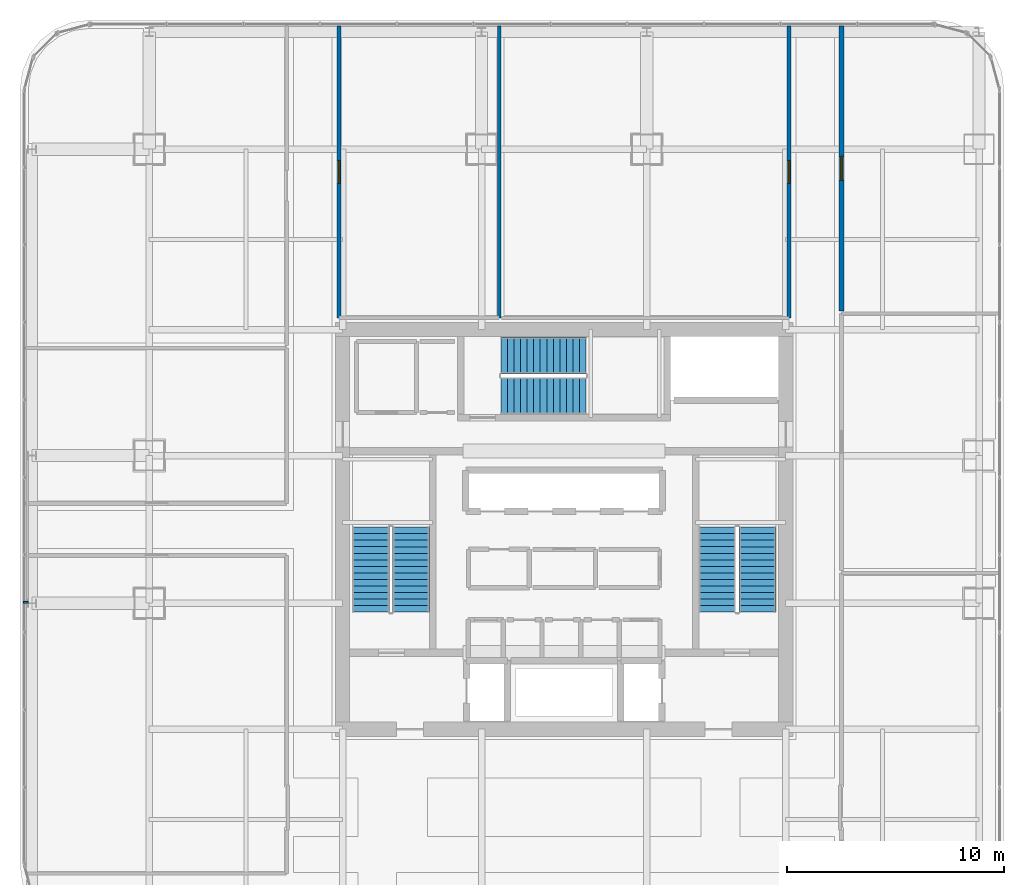
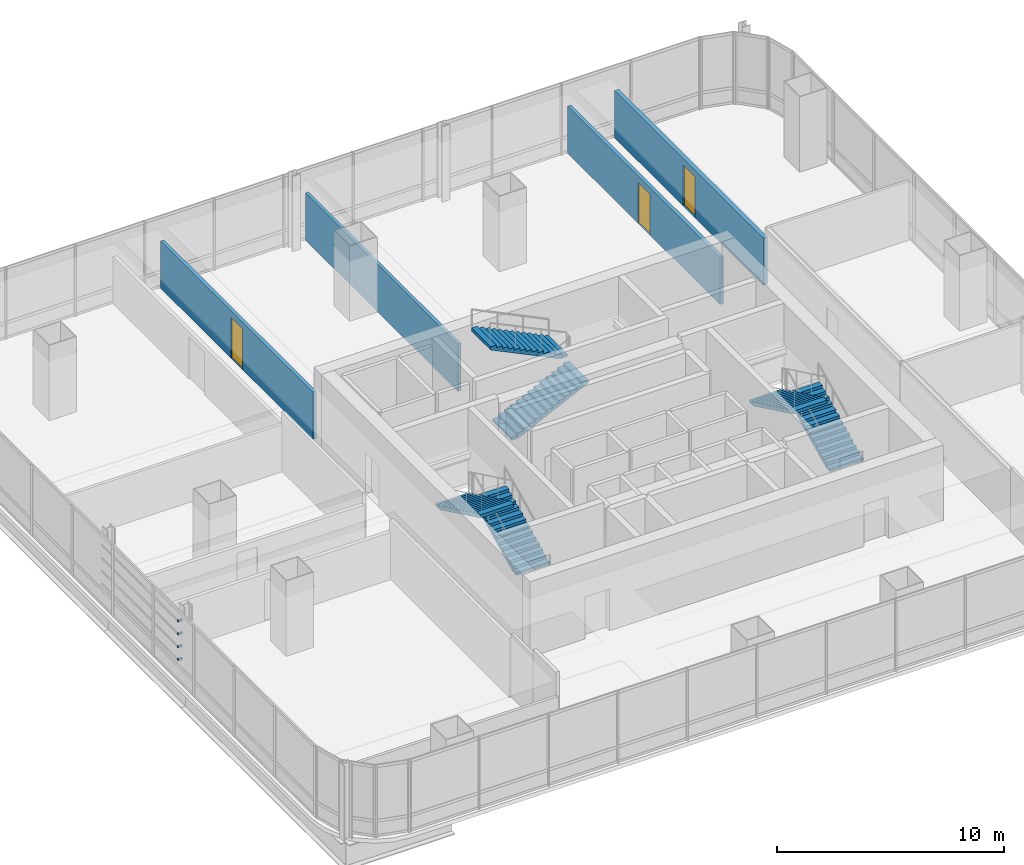
# One storey, part 32 of 38: 6 stair flights, 4 discrete accessories, 4 walls, 3 doors, 3 openings, 3 elements without a shape of their own.
"""IFC4 building model written with IfcOpenShell, lengths in metres."""

from ifc_helpers import new_model, si_unit, direction, frame, frame_2d, origin, origin_2d, place, context, subcontext, project, spatial, polyline, rectangle, outline, extrude, material, layer, layer_set, type_object, element, fill, aggregate, save


model = new_model("IFC4")

# Units and contexts
model_context = context("Model", 3, precision=1e-05, world=origin(), true_north=direction((0.0, 1.0)))
body_context = subcontext(model_context, "Body", "Model", "MODEL_VIEW")
ifc_project = project(units=[si_unit("LENGTHUNIT", "METRE"), si_unit("AREAUNIT", "SQUARE_METRE"), si_unit("VOLUMEUNIT", "CUBIC_METRE"), si_unit("PLANEANGLEUNIT", "RADIAN"), si_unit("MASSUNIT", "GRAM", prefix="KILO")], contexts=[model_context])

# Site, building, storey
site_placement = place(None, origin())
site = spatial("IfcSite", under=ifc_project, at=site_placement, CompositionType="ELEMENT")
building_placement = place(site_placement, origin())
building = spatial("IfcBuilding", under=site, at=building_placement, Name="Punatoya Terracotta Tower", CompositionType="ELEMENT")
storey_placement = place(building_placement, frame((0.0, 0.0, 143.85009765625)))
storey = spatial("IfcBuildingStorey", under=building, at=storey_placement, Name="L33", CompositionType="ELEMENT", Elevation=143.85009765625)

# Wall, opening, door
ifc_material_1 = material(Name="Gypsum Fireboard + Steel Stud", Category="steel")
ifc_layer_1 = layer(ifc_material_1, 0.179931640625)
ifc_layer_set_1 = layer_set([ifc_layer_1], Name="Gypsum Fireboard + Steel Stud")
wall_type_1 = type_object("IfcWallType", Name="WL-CORR-180", PredefinedType="PARTITIONING", material=ifc_layer_set_1)
wall_1_placement = place(storey_placement, frame((-10.360107421875, 9.739990234375, 0.0), z_axis=(0.0, 0.0, 1.0), x_axis=(0.0, 1.0, 0.0)))
wall_1 = element("IfcWall", 1, at=wall_1_placement, inside=storey, type_object=wall_type_1, Name="L33 Open-Plan Laboratory Staff Pantry Partition 46", PredefinedType="PARTITIONING", context=body_context, shape_type="SweptSolid", body=[
    extrude(rectangle(XDim=13.429931640625, YDim=0.179931640625, at=frame_2d((6.71484375, 0.0))), origin(), (0.0, 0.0, 1.0), 2.5439453125),
])
opening_1_placement = place(wall_1_placement, frame((6.18994140625, 0.0, 0.0)))
opening_1 = element("IfcOpeningElement", 2, at=opening_1_placement, cuts=wall_1, Name="Opening OD-01", PredefinedType="OPENING", context=body_context, shape_type="SweptSolid", body=[
    extrude(rectangle(XDim=1.050048828125, YDim=2.199951171875, at=frame_2d((0.52490234375, 1.10009765625))), frame((0.0, 0.099853515625, 0.0), z_axis=(0.0, -1.0, 0.0), x_axis=(1.0, 0.0, 0.0)), (0.0, 0.0, 1.0), 0.199951171875),
])
ifc_material_2 = material(Name="Bengal Teak Solid-Core Leaf")
door_type_1 = type_object("IfcDoorType", Name="DR-OFF-1050", OperationType="NOTDEFINED", PredefinedType="DOOR", material=ifc_material_2)
door_1_placement = place(opening_1_placement, origin())
door_1 = element("IfcDoor", 3, at=door_1_placement, inside=storey, type_object=door_type_1, Name="L33 Open-Plan Laboratory Staff Pantry Door", OperationType="SINGLE_SWING_RIGHT", OverallHeight=2.199951171875, OverallWidth=1.050048828125, PredefinedType="DOOR", context=body_context, shape_type="SweptSolid", body=[
    extrude(rectangle(XDim=1.050048828125, YDim=2.199951171875, at=frame_2d((0.52490234375, 1.10009765625))), frame((0.0, 0.02490234375, 0.0), z_axis=(0.0, -1.0, 0.0), x_axis=(1.0, 0.0, 0.0)), (0.0, 0.0, 1.0), 0.050048828125),
])
fill(opening_1, door_1)

wall_2_placement = place(storey_placement, frame((10.360107421875, 23.169921875, 0.0), z_axis=(0.0, 0.0, 1.0), x_axis=(0.0, -1.0, 0.0)))
wall_2 = element("IfcWall", 4, at=wall_2_placement, inside=storey, type_object=wall_type_1, Name="L33 Wellness Rest Room Partition 48", PredefinedType="PARTITIONING", context=body_context, shape_type="SweptSolid", body=[
    extrude(rectangle(XDim=13.429931640625, YDim=0.179931640625, at=frame_2d((6.71484375, 0.0))), origin(), (0.0, 0.0, 1.0), 2.5439453125),
])
opening_2_placement = place(wall_2_placement, frame((6.18994140625, 0.0, 0.0)))
opening_2 = element("IfcOpeningElement", 5, at=opening_2_placement, cuts=wall_2, Name="Opening OD-01", PredefinedType="OPENING", context=body_context, shape_type="SweptSolid", body=[
    extrude(rectangle(XDim=1.050048828125, YDim=2.199951171875, at=frame_2d((0.52490234375, 1.10009765625))), frame((0.0, 0.099853515625, 0.0), z_axis=(0.0, -1.0, 0.0), x_axis=(1.0, 0.0, 0.0)), (0.0, 0.0, 1.0), 0.199951171875),
])
door_2_placement = place(opening_2_placement, origin())
door_2 = element("IfcDoor", 6, at=door_2_placement, inside=storey, type_object=door_type_1, Name="L33 Wellness Rest Room Door", OperationType="SINGLE_SWING_LEFT", OverallHeight=2.199951171875, OverallWidth=1.050048828125, PredefinedType="DOOR", context=body_context, shape_type="SweptSolid", body=[
    extrude(rectangle(XDim=1.050048828125, YDim=2.199951171875, at=frame_2d((0.52490234375, 1.10009765625))), frame((0.0, 0.02490234375, 0.0), z_axis=(0.0, -1.0, 0.0), x_axis=(1.0, 0.0, 0.0)), (0.0, 0.0, 1.0), 0.050048828125),
])
fill(opening_2, door_2)

ifc_material_3 = material(Name="Concrete C40/50", Category="concrete")
ifc_layer_2 = layer(ifc_material_3, 0.219970703125)
ifc_layer_set_2 = layer_set([ifc_layer_2], Name="Concrete C40/50")
wall_type_2 = type_object("IfcWallType", Name="WL-FIR-220", PredefinedType="SOLIDWALL", material=ifc_layer_set_2)
wall_3_placement = place(storey_placement, frame((12.77001953125, 10.06201171875, 0.0), z_axis=(0.0, 0.0, 1.0), x_axis=(0.0, 1.0, 0.0)))
wall_3 = element("IfcWall", 7, at=wall_3_placement, inside=storey, type_object=wall_type_2, Name="L33 Open-Plan Geospatial Data Archive Partition 49", PredefinedType="SOLIDWALL", context=body_context, shape_type="SweptSolid", body=[
    extrude(rectangle(XDim=13.10791015625, YDim=0.219970703125, at=frame_2d((6.553955078125, 0.0))), origin(), (0.0, 0.0, 1.0), 2.5439453125),
])
opening_3_placement = place(wall_3_placement, frame((6.00390625, 0.0, 0.0)))
opening_3 = element("IfcOpeningElement", 8, at=opening_3_placement, cuts=wall_3, Name="Opening FD-P1", PredefinedType="OPENING", context=body_context, shape_type="SweptSolid", body=[
    extrude(rectangle(XDim=1.10009765625, YDim=2.199951171875, at=frame_2d((0.550048828125, 1.10009765625))), frame((0.0, 0.119873046875, 0.0), z_axis=(0.0, -1.0, 0.0), x_axis=(1.0, 0.0, 0.0)), (0.0, 0.0, 1.0), 0.239990234375),
])
ifc_material_4 = material(Name="Galvanised Steel Plant Fire Door", Category="steel")
door_type_2 = type_object("IfcDoorType", Name="DR-PLT-1100", OperationType="NOTDEFINED", PredefinedType="DOOR", material=ifc_material_4)
door_3_placement = place(opening_3_placement, origin())
door_3 = element("IfcDoor", 9, at=door_3_placement, inside=storey, type_object=door_type_2, Name="L33 Open-Plan Geospatial Data Archive Fire Door", OperationType="SINGLE_SWING_RIGHT", OverallHeight=2.199951171875, OverallWidth=1.10009765625, PredefinedType="DOOR", context=body_context, shape_type="SweptSolid", body=[
    extrude(rectangle(XDim=1.10009765625, YDim=2.199951171875, at=frame_2d((0.550048828125, 1.10009765625))), frame((0.0, 0.02490234375, 0.0), z_axis=(0.0, -1.0, 0.0), x_axis=(1.0, 0.0, 0.0)), (0.0, 0.0, 1.0), 0.050048828125),
])
fill(opening_3, door_3)

# Wall
ifc_material_5 = material(Name="Masonry Blockwork + Ceramic Tile", Category="masonry")
ifc_layer_3 = layer(ifc_material_5, 0.159912109375)
ifc_layer_set_3 = layer_set([ifc_layer_3], Name="Masonry Blockwork + Ceramic Tile")
wall_type_3 = type_object("IfcWallType", Name="WL-WET-160", PredefinedType="PARTITIONING", material=ifc_layer_set_3)
wall_4_placement = place(storey_placement, frame((-2.993896484375, 23.169921875, 0.0), z_axis=(0.0, 0.0, 1.0), x_axis=(0.0, -1.0, 0.0)))
element("IfcWall", 10, at=wall_4_placement, inside=storey, type_object=wall_type_3, Name="L33 Open-Plan Laboratory Staff Pantry Partition 44", PredefinedType="PARTITIONING", context=body_context, shape_type="SweptSolid", body=[
    extrude(rectangle(XDim=13.429931640625, YDim=0.159912109375, at=frame_2d((6.71484375, 0.0))), origin(), (0.0, 0.0, 1.0), 2.5439453125),
])

# Stair, stair flights
stair_type_1 = type_object("IfcStairType", Name="STR-CORE-1550", PredefinedType="HALF_TURN_STAIR", material=ifc_material_3)
stair_1_placement = place(storey_placement, origin())
stair_1 = element("IfcStair", 11, at=stair_1_placement, inside=storey, type_object=stair_type_1, Name="L33 Protected Core Exit Stair ST-1", PredefinedType="HALF_TURN_STAIR")
stair_flight_type_1 = type_object("IfcStairFlightType", Name="SFL-CORE-1550", PredefinedType="STRAIGHT", material=ifc_material_3)
stair_flight_1_placement = place(storey_placement, frame((-7.050048828125, -3.800048828125, 0.0), z_axis=(0.0, 0.0, 1.0), x_axis=(0.0, 1.0, 0.0)))
stair_flight_1 = element("IfcStairFlight", 12, at=stair_flight_1_placement, type_object=stair_flight_type_1, Name="ST-1 flight 1", NumberOfRisers=14, NumberOfTreads=13, PredefinedType="STRAIGHT", RiserHeight=0.144642857, TreadLength=0.3, context=body_context, shape_type="SweptSolid", body=[
    extrude(outline(polyline([(0.0, 0.0), (0.0, 0.14453125), (0.300048828125, 0.14453125), (0.300048828125, 0.289306640625), (0.60009765625, 0.289306640625), (0.60009765625, 0.433837890625), (0.89990234375, 0.433837890625), (0.89990234375, 0.57861328125), (1.199951171875, 0.57861328125), (1.199951171875, 0.72314453125), (1.5, 0.72314453125), (1.5, 0.867919921875), (1.800048828125, 0.867919921875), (1.800048828125, 1.012451171875), (2.10009765625, 1.012451171875), (2.10009765625, 1.1572265625), (2.39990234375, 1.1572265625), (2.39990234375, 1.3017578125), (2.699951171875, 1.3017578125), (2.699951171875, 1.446533203125), (3.0, 1.446533203125), (3.0, 1.591064453125), (3.300048828125, 1.591064453125), (3.300048828125, 1.735595703125), (3.60009765625, 1.735595703125), (3.60009765625, 1.88037109375), (3.89990234375, 1.88037109375), (3.89990234375, 2.02490234375), (3.89990234375, 1.7138671875), (0.34521484375, 0.0), (0.0, 0.0)])), frame((0.0, 0.85009765625, 0.0), z_axis=(0.0, -1.0, 0.0), x_axis=(1.0, 0.0, 0.0)), (0.0, 0.0, 1.0), 1.699951171875),
])
stair_flight_2_placement = place(storey_placement, frame((-8.89990234375, 0.10009765625, 2.02490234375), z_axis=(0.0, 0.0, 1.0), x_axis=(0.0, -1.0, 0.0)))
stair_flight_2 = element("IfcStairFlight", 13, at=stair_flight_2_placement, type_object=stair_flight_type_1, Name="ST-1 flight 2", NumberOfRisers=14, NumberOfTreads=13, PredefinedType="STRAIGHT", RiserHeight=0.144642857, TreadLength=0.3, context=body_context, shape_type="SweptSolid", body=[
    extrude(outline(polyline([(0.0, 0.0), (0.0, 0.14453125), (0.300048828125, 0.14453125), (0.300048828125, 0.289306640625), (0.60009765625, 0.289306640625), (0.60009765625, 0.433837890625), (0.89990234375, 0.433837890625), (0.89990234375, 0.57861328125), (1.199951171875, 0.57861328125), (1.199951171875, 0.72314453125), (1.5, 0.72314453125), (1.5, 0.867919921875), (1.800048828125, 0.867919921875), (1.800048828125, 1.012451171875), (2.10009765625, 1.012451171875), (2.10009765625, 1.1572265625), (2.39990234375, 1.1572265625), (2.39990234375, 1.3017578125), (2.699951171875, 1.3017578125), (2.699951171875, 1.446533203125), (3.0, 1.446533203125), (3.0, 1.591064453125), (3.300048828125, 1.591064453125), (3.300048828125, 1.735595703125), (3.60009765625, 1.735595703125), (3.60009765625, 1.88037109375), (3.89990234375, 1.88037109375), (3.89990234375, 2.02490234375), (3.89990234375, 1.7138671875), (0.34521484375, 0.0), (0.0, 0.0)])), frame((0.0, 0.85009765625, 0.0), z_axis=(0.0, -1.0, 0.0), x_axis=(1.0, 0.0, 0.0)), (0.0, 0.0, 1.0), 1.699951171875),
])
aggregate(stair_1, [stair_flight_1, stair_flight_2])

stair_type_2 = type_object("IfcStairType", Name="STR-LOB-1650", PredefinedType="HALF_TURN_STAIR", material=ifc_material_3)
stair_2_placement = place(storey_placement, origin())
stair_2 = element("IfcStair", 14, at=stair_2_placement, inside=storey, type_object=stair_type_2, Name="L33 Protected Core Exit Stair ST-2", PredefinedType="HALF_TURN_STAIR")
stair_flight_type_2 = type_object("IfcStairFlightType", Name="SFL-LOB-1650", PredefinedType="STRAIGHT", material=ifc_material_3)
stair_flight_3_placement = place(storey_placement, frame((8.89990234375, -3.800048828125, 0.0), z_axis=(0.0, 0.0, 1.0), x_axis=(0.0, 1.0, 0.0)))
stair_flight_3 = element("IfcStairFlight", 15, at=stair_flight_3_placement, type_object=stair_flight_type_2, Name="ST-2 flight 1", NumberOfRisers=14, NumberOfTreads=13, PredefinedType="STRAIGHT", RiserHeight=0.144642857, TreadLength=0.3, context=body_context, shape_type="SweptSolid", body=[
    extrude(outline(polyline([(0.0, 0.0), (0.0, 0.14453125), (0.300048828125, 0.14453125), (0.300048828125, 0.289306640625), (0.60009765625, 0.289306640625), (0.60009765625, 0.433837890625), (0.89990234375, 0.433837890625), (0.89990234375, 0.57861328125), (1.199951171875, 0.57861328125), (1.199951171875, 0.72314453125), (1.5, 0.72314453125), (1.5, 0.867919921875), (1.800048828125, 0.867919921875), (1.800048828125, 1.012451171875), (2.10009765625, 1.012451171875), (2.10009765625, 1.1572265625), (2.39990234375, 1.1572265625), (2.39990234375, 1.3017578125), (2.699951171875, 1.3017578125), (2.699951171875, 1.446533203125), (3.0, 1.446533203125), (3.0, 1.591064453125), (3.300048828125, 1.591064453125), (3.300048828125, 1.735595703125), (3.60009765625, 1.735595703125), (3.60009765625, 1.88037109375), (3.89990234375, 1.88037109375), (3.89990234375, 2.02490234375), (3.89990234375, 1.7138671875), (0.34521484375, 0.0), (0.0, 0.0)])), frame((0.0, 0.85009765625, 0.0), z_axis=(0.0, -1.0, 0.0), x_axis=(1.0, 0.0, 0.0)), (0.0, 0.0, 1.0), 1.699951171875),
])
stair_flight_4_placement = place(storey_placement, frame((7.050048828125, 0.10009765625, 2.02490234375), z_axis=(0.0, 0.0, 1.0), x_axis=(0.0, -1.0, 0.0)))
stair_flight_4 = element("IfcStairFlight", 16, at=stair_flight_4_placement, type_object=stair_flight_type_2, Name="ST-2 flight 2", NumberOfRisers=14, NumberOfTreads=13, PredefinedType="STRAIGHT", RiserHeight=0.144642857, TreadLength=0.3, context=body_context, shape_type="SweptSolid", body=[
    extrude(outline(polyline([(0.0, 0.0), (0.0, 0.14453125), (0.300048828125, 0.14453125), (0.300048828125, 0.289306640625), (0.60009765625, 0.289306640625), (0.60009765625, 0.433837890625), (0.89990234375, 0.433837890625), (0.89990234375, 0.57861328125), (1.199951171875, 0.57861328125), (1.199951171875, 0.72314453125), (1.5, 0.72314453125), (1.5, 0.867919921875), (1.800048828125, 0.867919921875), (1.800048828125, 1.012451171875), (2.10009765625, 1.012451171875), (2.10009765625, 1.1572265625), (2.39990234375, 1.1572265625), (2.39990234375, 1.3017578125), (2.699951171875, 1.3017578125), (2.699951171875, 1.446533203125), (3.0, 1.446533203125), (3.0, 1.591064453125), (3.300048828125, 1.591064453125), (3.300048828125, 1.735595703125), (3.60009765625, 1.735595703125), (3.60009765625, 1.88037109375), (3.89990234375, 1.88037109375), (3.89990234375, 2.02490234375), (3.89990234375, 1.7138671875), (0.34521484375, 0.0), (0.0, 0.0)])), frame((0.0, 0.85009765625, 0.0), z_axis=(0.0, -1.0, 0.0), x_axis=(1.0, 0.0, 0.0)), (0.0, 0.0, 1.0), 1.699951171875),
])
aggregate(stair_2, [stair_flight_3, stair_flight_4])

stair_type_3 = type_object("IfcStairType", Name="STR-TER-1450", PredefinedType="HALF_TURN_STAIR", material=ifc_material_3)
stair_3_placement = place(storey_placement, origin())
stair_3 = element("IfcStair", 17, at=stair_3_placement, inside=storey, type_object=stair_type_3, Name="L33 Protected Core Exit Stair ST-3", PredefinedType="HALF_TURN_STAIR")
stair_flight_type_3 = type_object("IfcStairFlightType", Name="SFL-TER-1450", PredefinedType="STRAIGHT", material=ifc_material_3)
stair_flight_5_placement = place(storey_placement, frame((-2.89990234375, 6.14990234375, 0.0), z_axis=(0.0, 0.0, 1.0), x_axis=(1.0, 0.0, 0.0)))
stair_flight_5 = element("IfcStairFlight", 18, at=stair_flight_5_placement, type_object=stair_flight_type_3, Name="ST-3 flight 1", NumberOfRisers=14, NumberOfTreads=13, PredefinedType="STRAIGHT", RiserHeight=0.144642857, TreadLength=0.3, context=body_context, shape_type="SweptSolid", body=[
    extrude(outline(polyline([(0.0, 0.0), (0.0, 0.14453125), (0.300048828125, 0.14453125), (0.300048828125, 0.289306640625), (0.60009765625, 0.289306640625), (0.60009765625, 0.433837890625), (0.89990234375, 0.433837890625), (0.89990234375, 0.57861328125), (1.199951171875, 0.57861328125), (1.199951171875, 0.72314453125), (1.5, 0.72314453125), (1.5, 0.867919921875), (1.800048828125, 0.867919921875), (1.800048828125, 1.012451171875), (2.10009765625, 1.012451171875), (2.10009765625, 1.1572265625), (2.39990234375, 1.1572265625), (2.39990234375, 1.3017578125), (2.699951171875, 1.3017578125), (2.699951171875, 1.446533203125), (3.0, 1.446533203125), (3.0, 1.591064453125), (3.300048828125, 1.591064453125), (3.300048828125, 1.735595703125), (3.60009765625, 1.735595703125), (3.60009765625, 1.88037109375), (3.89990234375, 1.88037109375), (3.89990234375, 2.02490234375), (3.89990234375, 1.7138671875), (0.34521484375, 0.0), (0.0, 0.0)])), frame((0.0, 0.85009765625, 0.0), z_axis=(0.0, -1.0, 0.0), x_axis=(1.0, 0.0, 0.0)), (0.0, 0.0, 1.0), 1.699951171875),
])
stair_flight_6_placement = place(storey_placement, frame((1.0, 8.0, 2.02490234375), z_axis=(0.0, 0.0, 1.0), x_axis=(-1.0, 0.0, 0.0)))
stair_flight_6 = element("IfcStairFlight", 19, at=stair_flight_6_placement, type_object=stair_flight_type_3, Name="ST-3 flight 2", NumberOfRisers=14, NumberOfTreads=13, PredefinedType="STRAIGHT", RiserHeight=0.144642857, TreadLength=0.3, context=body_context, shape_type="SweptSolid", body=[
    extrude(outline(polyline([(0.0, 0.0), (0.0, 0.14453125), (0.300048828125, 0.14453125), (0.300048828125, 0.289306640625), (0.60009765625, 0.289306640625), (0.60009765625, 0.433837890625), (0.89990234375, 0.433837890625), (0.89990234375, 0.57861328125), (1.199951171875, 0.57861328125), (1.199951171875, 0.72314453125), (1.5, 0.72314453125), (1.5, 0.867919921875), (1.800048828125, 0.867919921875), (1.800048828125, 1.012451171875), (2.10009765625, 1.012451171875), (2.10009765625, 1.1572265625), (2.39990234375, 1.1572265625), (2.39990234375, 1.3017578125), (2.699951171875, 1.3017578125), (2.699951171875, 1.446533203125), (3.0, 1.446533203125), (3.0, 1.591064453125), (3.300048828125, 1.591064453125), (3.300048828125, 1.735595703125), (3.60009765625, 1.735595703125), (3.60009765625, 1.88037109375), (3.89990234375, 1.88037109375), (3.89990234375, 2.02490234375), (3.89990234375, 1.7138671875), (0.34521484375, 0.0), (0.0, 0.0)])), frame((0.0, 0.85009765625, 0.0), z_axis=(0.0, -1.0, 0.0), x_axis=(1.0, 0.0, 0.0)), (0.0, 0.0, 1.0), 1.699951171875),
])
aggregate(stair_3, [stair_flight_5, stair_flight_6])

# Discrete accessories
ifc_material_6 = material(Name="Steel S355", Category="steel")
discrete_accessory_type = type_object("IfcDiscreteAccessoryType", Name="ACC-BRK-220", PredefinedType="BRACKET", material=ifc_material_6)
for number, where, z_axis, x_axis, name in (
    (20, (-24.782470703125, -3.35009765625, 1.099853515625), (0.0, 0.0, 1.0), (0.0, 1.0, 0.0), "L33 Baguette Louvre Column Bracket BAG-L33-W-01"),
    (21, (-24.782470703125, -3.35009765625, 1.793212890625), (0.0, 0.0, 1.0), (0.0, 1.0, 0.0), "L33 Baguette Louvre Column Bracket BAG-L33-W-02"),
    (22, (-24.782470703125, -3.35009765625, 2.486572265625), (0.0, 0.0, 1.0), (0.0, 1.0, 0.0), "L33 Baguette Louvre Column Bracket BAG-L33-W-03"),
    (23, (-24.782470703125, -3.35009765625, 3.179931640625), (0.0, 0.0, 1.0), (0.0, 1.0, 0.0), "L33 Baguette Louvre Column Bracket BAG-L33-W-04"),
):
    element("IfcDiscreteAccessory", number, at=place(storey_placement, frame(where, z_axis=z_axis, x_axis=x_axis)), inside=storey, type_object=discrete_accessory_type, Name=name, PredefinedType="BRACKET", context=body_context, shape_type="SweptSolid", body=[
        extrude(rectangle(XDim=0.090087890625, YDim=0.219970703125, at=origin_2d()), origin(), (0.0, 0.0, 1.0), 0.10009765625),
    ])

save(model, "model.ifc")
